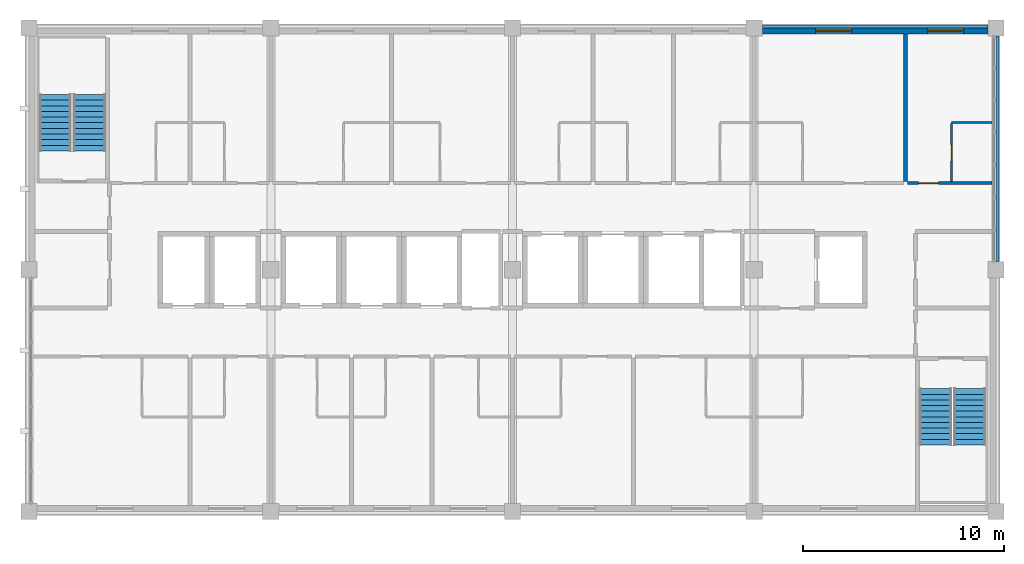
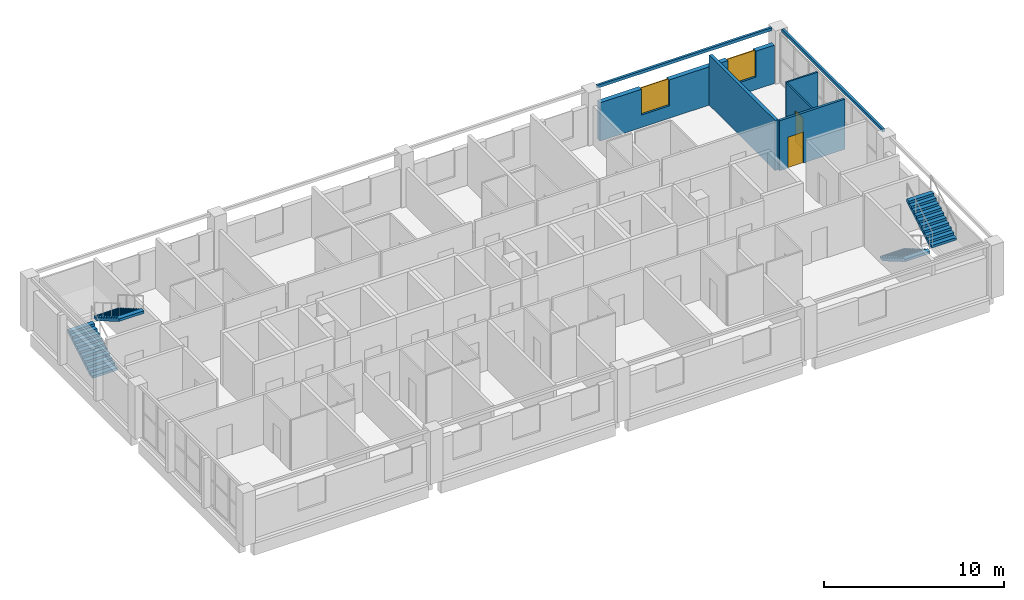
# One storey, part 10 of 11: 7 walls, 4 stair flights, 2 doors, 2 windows, 4 openings, 2 elements without a shape of their own.
"""IFC4 building model written with IfcOpenShell, lengths in metres."""

from ifc_helpers import new_model, si_unit, direction, frame, frame_2d, origin, place, context, subcontext, project, spatial, polyline, rectangle, outline, extrude, material, layer, layer_set, type_object, element, fill, aggregate, save


model = new_model("IFC4")

# Units and contexts
model_context = context("Model", 3, precision=1e-05, world=origin(), true_north=direction((0.0, 1.0)))
body_context = subcontext(model_context, "Body", "Model", "MODEL_VIEW")
ifc_project = project(units=[si_unit("LENGTHUNIT", "METRE"), si_unit("AREAUNIT", "SQUARE_METRE"), si_unit("VOLUMEUNIT", "CUBIC_METRE"), si_unit("PLANEANGLEUNIT", "RADIAN"), si_unit("MASSUNIT", "GRAM", prefix="KILO")], contexts=[model_context])

# Site, building, storey
site_placement = place(None, origin())
site = spatial("IfcSite", under=ifc_project, at=site_placement, CompositionType="ELEMENT")
building_placement = place(site_placement, origin())
building = spatial("IfcBuilding", under=site, at=building_placement, Name="Lilac Gate Convention Centre", CompositionType="ELEMENT")
storey_placement = place(building_placement, frame((0.0, 0.0, 46.199951171875)))
storey = spatial("IfcBuildingStorey", under=building, at=storey_placement, Name="L11", CompositionType="ELEMENT", Elevation=46.199951171875)

# Wall, opening, door
ifc_material_1 = material(Name="Gypsum board on steel stud", Category="steel")
ifc_layer_1 = layer(ifc_material_1, 0.14990234375)
ifc_layer_set_1 = layer_set([ifc_layer_1], Name="Gypsum board on steel stud")
wall_type_1 = type_object("IfcWallType", Name="Corridor wall 150", PredefinedType="PARTITIONING", material=ifc_layer_set_1)
wall_1_placement = place(storey_placement, frame((85.60009765625, 238.300048828125, 0.0), z_axis=(0.0, 0.0, 1.0), x_axis=(1.0, 0.0, 0.0)))
wall_1 = element("IfcWall", 1, at=wall_1_placement, inside=storey, type_object=wall_type_1, Name="Corridor wall 150 front 1117", PredefinedType="PARTITIONING", context=body_context, shape_type="SweptSolid", body=[
    extrude(rectangle(XDim=4.19970703125, YDim=0.14990234375, at=frame_2d((2.099853515625, 0.0))), origin(), (0.0, 0.0, 1.0), 3.400146484375),
])
opening_1_placement = place(wall_1_placement, frame((0.550048828125, 0.0, 0.0)))
opening_1 = element("IfcOpeningElement", 2, at=opening_1_placement, cuts=wall_1, Name="Opening T10-040", PredefinedType="OPENING", context=body_context, shape_type="SweptSolid", body=[
    extrude(rectangle(XDim=1.0, YDim=2.10009765625, at=frame_2d((0.5, 1.050048828125))), frame((0.0, 0.0849609375, 0.0), z_axis=(0.0, -1.0, 0.0), x_axis=(1.0, 0.0, 0.0)), (0.0, 0.0, 1.0), 0.169921875),
])
ifc_material_2 = material(Name="Timber", Category="wood")
door_type_1 = type_object("IfcDoorType", Name="Guest room entrance door 1000", OperationType="SINGLE_SWING_LEFT", PredefinedType="DOOR", material=ifc_material_2)
door_1_placement = place(opening_1_placement, origin())
door_1 = element("IfcDoor", 3, at=door_1_placement, inside=storey, type_object=door_type_1, Name="Guest room door 1117", OperationType="SINGLE_SWING_LEFT", OverallHeight=2.10009765625, OverallWidth=1.0, PredefinedType="DOOR", context=body_context, shape_type="SweptSolid", body=[
    extrude(rectangle(XDim=1.0, YDim=2.10009765625, at=frame_2d((0.5, 1.050048828125))), frame((0.0, 0.02490234375, 0.0), z_axis=(0.0, -1.0, 0.0), x_axis=(1.0, 0.0, 0.0)), (0.0, 0.0, 1.0), 0.050048828125),
])
fill(opening_1, door_1)

# Wall
ifc_layer_2 = layer(ifc_material_1, 0.10009765625)
ifc_layer_set_2 = layer_set([ifc_layer_2], Name="Gypsum board on steel stud")
wall_type_2 = type_object("IfcWallType", Name="En-suite wall 100", PredefinedType="PARTITIONING", material=ifc_layer_set_2)
wall_2_placement = place(storey_placement, frame((87.800048828125, 241.300048828125, 0.0), z_axis=(0.0, 0.0, 1.0), x_axis=(1.0, 0.0, 0.0)))
element("IfcWall", 4, at=wall_2_placement, inside=storey, type_object=wall_type_2, Name="En-suite wall 100 bath 1117", PredefinedType="PARTITIONING", context=body_context, shape_type="SweptSolid", body=[
    extrude(rectangle(XDim=1.999755859375, YDim=0.10009765625, at=frame_2d((1.0, 0.0))), origin(), (0.0, 0.0, 1.0), 3.400146484375),
])

# Wall, opening, door
wall_3_placement = place(storey_placement, frame((87.800048828125, 238.375, 0.0), z_axis=(0.0, 0.0, 1.0), x_axis=(0.0, 1.0, 0.0)))
wall_3 = element("IfcWall", 5, at=wall_3_placement, inside=storey, type_object=wall_type_2, Name="En-suite wall 100 bath side 1117", PredefinedType="PARTITIONING", context=body_context, shape_type="SweptSolid", body=[
    extrude(rectangle(XDim=2.875, YDim=0.10009765625, at=frame_2d((1.4375, 0.0))), origin(), (0.0, 0.0, 1.0), 3.400146484375),
])
opening_2_placement = place(wall_3_placement, frame((1.03759765625, 0.0, 0.0)))
opening_2 = element("IfcOpeningElement", 6, at=opening_2_placement, cuts=wall_3, Name="Opening T10-041", PredefinedType="OPENING", context=body_context, shape_type="SweptSolid", body=[
    extrude(rectangle(XDim=0.800048828125, YDim=2.10009765625, at=frame_2d((0.39990234375, 1.050048828125))), frame((0.0, 0.06005859375, 0.0), z_axis=(0.0, -1.0, 0.0), x_axis=(1.0, 0.0, 0.0)), (0.0, 0.0, 1.0), 0.1201171875),
])
door_type_2 = type_object("IfcDoorType", Name="En-suite door 800", OperationType="SINGLE_SWING_LEFT", PredefinedType="DOOR", material=ifc_material_2)
door_2_placement = place(opening_2_placement, origin())
door_2 = element("IfcDoor", 7, at=door_2_placement, inside=storey, type_object=door_type_2, Name="En-suite door 1117", OperationType="SINGLE_SWING_LEFT", OverallHeight=2.10009765625, OverallWidth=0.800048828125, PredefinedType="DOOR", context=body_context, shape_type="SweptSolid", body=[
    extrude(rectangle(XDim=0.800048828125, YDim=2.10009765625, at=frame_2d((0.39990234375, 1.050048828125))), frame((0.0, 0.02490234375, 0.0), z_axis=(0.0, -1.0, 0.0), x_axis=(1.0, 0.0, 0.0)), (0.0, 0.0, 1.0), 0.050048828125),
])
fill(opening_2, door_2)

# Walls
ifc_layer_3 = layer(ifc_material_1, 0.199951171875)
ifc_layer_set_3 = layer_set([ifc_layer_3], Name="Gypsum board on steel stud")
wall_type_3 = type_object("IfcWallType", Name="Guest room party wall 200", PredefinedType="PARTITIONING", material=ifc_layer_set_3)
wall_4_placement = place(storey_placement, frame((85.5, 245.7001953125, 0.0), z_axis=(0.0, 0.0, 1.0), x_axis=(0.0, -1.0, 0.0)))
element("IfcWall", 8, at=wall_4_placement, inside=storey, type_object=wall_type_3, Name="Guest room party wall 200 party 85.5", PredefinedType="PARTITIONING", context=body_context, shape_type="SweptSolid", body=[
    extrude(rectangle(XDim=7.3251953125, YDim=0.199951171875, at=frame_2d((3.66259765625, 0.0))), origin(), (0.0, 0.0, 1.0), 3.400146484375),
])
ifc_material_3 = material(Name="Concrete C40 precast", Category="concrete")
ifc_layer_4 = layer(ifc_material_3, 0.1298828125)
ifc_material_4 = material(Name="Teal glazed cladding")
ifc_layer_5 = layer(ifc_material_4, 0.02001953125)
ifc_layer_set_4 = layer_set([ifc_layer_4, ifc_layer_5], Name="Concrete C40 precast, Teal glazed cladding")
wall_type_4 = type_object("IfcWallType", Name="Precast band teal 150", PredefinedType="STANDARD", material=ifc_layer_set_4)
for number, where, z_axis, x_axis, name in (
    (9, (90.074951171875, 234.39990234375, 3.400146484375), (0.0, 0.0, 1.0), (0.0, 1.0, 0.0), "Precast band E L11 2"),
    (10, (89.60009765625, 246.074951171875, 3.400146484375), (0.0, 0.0, 1.0), (-1.0, 0.0, 0.0), "Precast band N L11 1"),
):
    element("IfcWall", number, at=place(storey_placement, frame(where, z_axis=z_axis, x_axis=x_axis)), inside=storey, type_object=wall_type_4, Name=name, PredefinedType="STANDARD", context=body_context, shape_type="SweptSolid", body=[
        extrude(rectangle(XDim=11.2001953125, YDim=0.14990234375, at=frame_2d((5.60009765625, 0.0))), origin(), (0.0, 0.0, 1.0), 0.199951171875),
    ])

# Wall, openings, windows
ifc_material_5 = material(Name="Ochre mineral render")
ifc_layer_6 = layer(ifc_material_5, 0.02001953125)
ifc_layer_7 = layer(ifc_material_3, 0.06005859375)
ifc_material_6 = material(Name="Ventilated air cavity")
ifc_layer_8 = layer(ifc_material_6, 0.030029296875)
ifc_material_7 = material(Name="Mineral wool insulation")
ifc_layer_9 = layer(ifc_material_7, 0.1201171875)
ifc_material_8 = material(Name="Steel stud Q345 and gypsum lining", Category="steel")
ifc_layer_10 = layer(ifc_material_8, 0.070068359375)
ifc_layer_set_5 = layer_set([ifc_layer_6, ifc_layer_7, ifc_layer_8, ifc_layer_9, ifc_layer_10], Name="Ochre mineral render, Concrete C40 precast, Ventilated air cavity, Mineral wool insulation, Steel stud Q345 and gypsum lining")
wall_type_5 = type_object("IfcWallType", Name="Precast panel wall ochre 300", PredefinedType="STANDARD", material=ifc_layer_set_5)
wall_5_placement = place(storey_placement, frame((89.60009765625, 245.85009765625, 0.0), z_axis=(0.0, 0.0, 1.0), x_axis=(-1.0, 0.0, 0.0)))
wall_5 = element("IfcWall", 11, at=wall_5_placement, inside=storey, type_object=wall_type_5, Name="External wall N L11 1", PredefinedType="STANDARD", context=body_context, shape_type="SweptSolid", body=[
    extrude(rectangle(XDim=11.2001953125, YDim=0.300048828125, at=frame_2d((5.60009765625, 0.0))), origin(), (0.0, 0.0, 1.0), 2.60009765625),
])
opening_3_placement = place(wall_5_placement, frame((6.75, 0.0, 0.85009765625)))
opening_3 = element("IfcOpeningElement", 12, at=opening_3_placement, cuts=wall_5, Name="Opening W1", PredefinedType="OPENING", context=body_context, shape_type="SweptSolid", body=[
    extrude(rectangle(XDim=1.800048828125, YDim=1.75, at=frame_2d((0.89990234375, 0.875))), frame((0.0, 0.159912109375, 0.0), z_axis=(0.0, -1.0, 0.0), x_axis=(1.0, 0.0, 0.0)), (0.0, 0.0, 1.0), 0.320068359375),
])
opening_4_placement = place(wall_5_placement, frame((1.199951171875, 0.0, 0.85009765625)))
opening_4 = element("IfcOpeningElement", 13, at=opening_4_placement, cuts=wall_5, Name="Opening W1", PredefinedType="OPENING", context=body_context, shape_type="SweptSolid", body=[
    extrude(rectangle(XDim=1.800048828125, YDim=1.75, at=frame_2d((0.89990234375, 0.875))), frame((0.0, 0.159912109375, 0.0), z_axis=(0.0, -1.0, 0.0), x_axis=(1.0, 0.0, 0.0)), (0.0, 0.0, 1.0), 0.320068359375),
])
ifc_material_9 = material(Name="Aluminium framed double glazing", Category="aluminium")
window_type = type_object("IfcWindowType", Name="Guest room window 1800 x 1750", PartitioningType="DOUBLE_PANEL_VERTICAL", PredefinedType="WINDOW", material=ifc_material_9)
window_1_placement = place(opening_3_placement, origin())
window_1 = element("IfcWindow", 14, at=window_1_placement, inside=storey, type_object=window_type, Name="Window Guest N L11", OverallHeight=1.75, OverallWidth=1.800048828125, PartitioningType="SINGLE_PANEL", PredefinedType="WINDOW", context=body_context, shape_type="SweptSolid", body=[
    extrude(rectangle(XDim=1.800048828125, YDim=1.75, at=frame_2d((0.89990234375, 0.875))), frame((0.0, 0.030029296875, 0.0), z_axis=(0.0, -1.0, 0.0), x_axis=(1.0, 0.0, 0.0)), (0.0, 0.0, 1.0), 0.06005859375),
])
fill(opening_3, window_1)
window_2_placement = place(opening_4_placement, origin())
window_2 = element("IfcWindow", 15, at=window_2_placement, inside=storey, type_object=window_type, Name="Window Guest N L11", OverallHeight=1.75, OverallWidth=1.800048828125, PartitioningType="SINGLE_PANEL", PredefinedType="WINDOW", context=body_context, shape_type="SweptSolid", body=[
    extrude(rectangle(XDim=1.800048828125, YDim=1.75, at=frame_2d((0.89990234375, 0.875))), frame((0.0, 0.030029296875, 0.0), z_axis=(0.0, -1.0, 0.0), x_axis=(1.0, 0.0, 0.0)), (0.0, 0.0, 1.0), 0.06005859375),
])
fill(opening_4, window_2)

# Stair, stair flights
ifc_material_10 = material(Name="Concrete C40", Category="concrete")
stair_type = type_object("IfcStairType", Name="Exit stair", PredefinedType="DOUBLE_RETURN_STAIR", material=ifc_material_10)
stair_1_placement = place(storey_placement, origin())
stair_1 = element("IfcStair", 16, at=stair_1_placement, inside=storey, type_object=stair_type, Name="Exit stair NW L11", PredefinedType="DOUBLE_RETURN_STAIR")
stair_flight_type = type_object("IfcStairFlightType", Name="Exit stair flight", PredefinedType="STRAIGHT", material=ifc_material_10)
stair_flight_1_placement = place(storey_placement, frame((43.300048828125, 239.89990234375, 0.0), z_axis=(0.0, 0.0, 1.0), x_axis=(0.0, 1.0, 0.0)))
stair_flight_1 = element("IfcStairFlight", 17, at=stair_flight_1_placement, type_object=stair_flight_type, Name="ST-NW flight 1", NumberOfRisers=11, NumberOfTreads=10, PredefinedType="STRAIGHT", RiserHeight=0.163636364, TreadLength=0.28, context=body_context, shape_type="SweptSolid", body=[
    extrude(outline(polyline([(0.0, 0.0), (0.0, 0.16357421875), (0.280029296875, 0.16357421875), (0.280029296875, 0.327392578125), (0.56005859375, 0.327392578125), (0.56005859375, 0.490966796875), (0.840087890625, 0.490966796875), (0.840087890625, 0.654541015625), (1.1201171875, 0.654541015625), (1.1201171875, 0.818115234375), (1.39990234375, 0.818115234375), (1.39990234375, 0.98193359375), (1.679931640625, 0.98193359375), (1.679931640625, 1.1455078125), (1.9599609375, 1.1455078125), (1.9599609375, 1.30908203125), (2.239990234375, 1.30908203125), (2.239990234375, 1.47265625), (2.52001953125, 1.47265625), (2.52001953125, 1.636474609375), (2.800048828125, 1.636474609375), (2.800048828125, 1.800048828125), (2.800048828125, 1.462646484375), (0.297119140625, 0.0), (0.0, 0.0)])), frame((0.0, 0.800048828125, 0.0), z_axis=(0.0, -1.0, 0.0), x_axis=(1.0, 0.0, 0.0)), (0.0, 0.0, 1.0), 1.60009765625),
])
stair_flight_2_placement = place(storey_placement, frame((45.0, 242.699951171875, 1.800048828125), z_axis=(0.0, 0.0, 1.0), x_axis=(0.0, -1.0, 0.0)))
stair_flight_2 = element("IfcStairFlight", 18, at=stair_flight_2_placement, type_object=stair_flight_type, Name="ST-NW flight 2", NumberOfRisers=11, NumberOfTreads=10, PredefinedType="STRAIGHT", RiserHeight=0.163636364, TreadLength=0.28, context=body_context, shape_type="SweptSolid", body=[
    extrude(outline(polyline([(0.0, 0.0), (0.0, 0.16357421875), (0.280029296875, 0.16357421875), (0.280029296875, 0.327392578125), (0.56005859375, 0.327392578125), (0.56005859375, 0.490966796875), (0.840087890625, 0.490966796875), (0.840087890625, 0.654541015625), (1.1201171875, 0.654541015625), (1.1201171875, 0.818115234375), (1.39990234375, 0.818115234375), (1.39990234375, 0.98193359375), (1.679931640625, 0.98193359375), (1.679931640625, 1.1455078125), (1.9599609375, 1.1455078125), (1.9599609375, 1.30908203125), (2.239990234375, 1.30908203125), (2.239990234375, 1.47265625), (2.52001953125, 1.47265625), (2.52001953125, 1.636474609375), (2.800048828125, 1.636474609375), (2.800048828125, 1.800048828125), (2.800048828125, 1.462646484375), (0.297119140625, 0.0), (0.0, 0.0)])), frame((0.0, 0.800048828125, 0.0), z_axis=(0.0, -1.0, 0.0), x_axis=(1.0, 0.0, 0.0)), (0.0, 0.0, 1.0), 1.60009765625),
])
aggregate(stair_1, [stair_flight_1, stair_flight_2])

stair_2_placement = place(storey_placement, origin())
stair_2 = element("IfcStair", 19, at=stair_2_placement, inside=storey, type_object=stair_type, Name="Exit stair SE L11", PredefinedType="DOUBLE_RETURN_STAIR")
stair_flight_3_placement = place(storey_placement, frame((87.0, 228.10009765625, 0.0), z_axis=(0.0, 0.0, 1.0), x_axis=(0.0, -1.0, 0.0)))
stair_flight_3 = element("IfcStairFlight", 20, at=stair_flight_3_placement, type_object=stair_flight_type, Name="ST-SE flight 1", NumberOfRisers=11, NumberOfTreads=10, PredefinedType="STRAIGHT", RiserHeight=0.163636364, TreadLength=0.28, context=body_context, shape_type="SweptSolid", body=[
    extrude(outline(polyline([(0.0, 0.0), (0.0, 0.16357421875), (0.280029296875, 0.16357421875), (0.280029296875, 0.327392578125), (0.56005859375, 0.327392578125), (0.56005859375, 0.490966796875), (0.840087890625, 0.490966796875), (0.840087890625, 0.654541015625), (1.1201171875, 0.654541015625), (1.1201171875, 0.818115234375), (1.39990234375, 0.818115234375), (1.39990234375, 0.98193359375), (1.679931640625, 0.98193359375), (1.679931640625, 1.1455078125), (1.9599609375, 1.1455078125), (1.9599609375, 1.30908203125), (2.239990234375, 1.30908203125), (2.239990234375, 1.47265625), (2.52001953125, 1.47265625), (2.52001953125, 1.636474609375), (2.800048828125, 1.636474609375), (2.800048828125, 1.800048828125), (2.800048828125, 1.462646484375), (0.297119140625, 0.0), (0.0, 0.0)])), frame((0.0, 0.800048828125, 0.0), z_axis=(0.0, -1.0, 0.0), x_axis=(1.0, 0.0, 0.0)), (0.0, 0.0, 1.0), 1.60009765625),
])
stair_flight_4_placement = place(storey_placement, frame((88.699951171875, 225.300048828125, 1.800048828125), z_axis=(0.0, 0.0, 1.0), x_axis=(0.0, 1.0, 0.0)))
stair_flight_4 = element("IfcStairFlight", 21, at=stair_flight_4_placement, type_object=stair_flight_type, Name="ST-SE flight 2", NumberOfRisers=11, NumberOfTreads=10, PredefinedType="STRAIGHT", RiserHeight=0.163636364, TreadLength=0.28, context=body_context, shape_type="SweptSolid", body=[
    extrude(outline(polyline([(0.0, 0.0), (0.0, 0.16357421875), (0.280029296875, 0.16357421875), (0.280029296875, 0.327392578125), (0.56005859375, 0.327392578125), (0.56005859375, 0.490966796875), (0.840087890625, 0.490966796875), (0.840087890625, 0.654541015625), (1.1201171875, 0.654541015625), (1.1201171875, 0.818115234375), (1.39990234375, 0.818115234375), (1.39990234375, 0.98193359375), (1.679931640625, 0.98193359375), (1.679931640625, 1.1455078125), (1.9599609375, 1.1455078125), (1.9599609375, 1.30908203125), (2.239990234375, 1.30908203125), (2.239990234375, 1.47265625), (2.52001953125, 1.47265625), (2.52001953125, 1.636474609375), (2.800048828125, 1.636474609375), (2.800048828125, 1.800048828125), (2.800048828125, 1.462646484375), (0.297119140625, 0.0), (0.0, 0.0)])), frame((0.0, 0.800048828125, 0.0), z_axis=(0.0, -1.0, 0.0), x_axis=(1.0, 0.0, 0.0)), (0.0, 0.0, 1.0), 1.60009765625),
])
aggregate(stair_2, [stair_flight_3, stair_flight_4])

save(model, "model.ifc")
